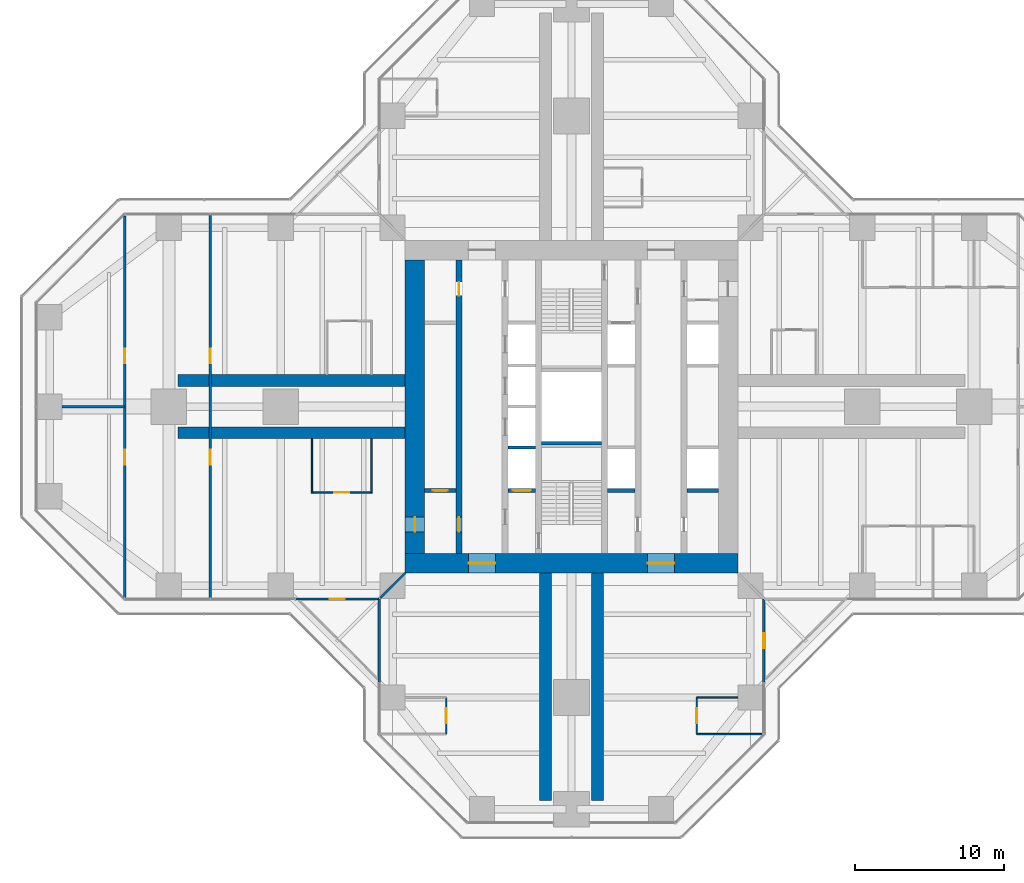
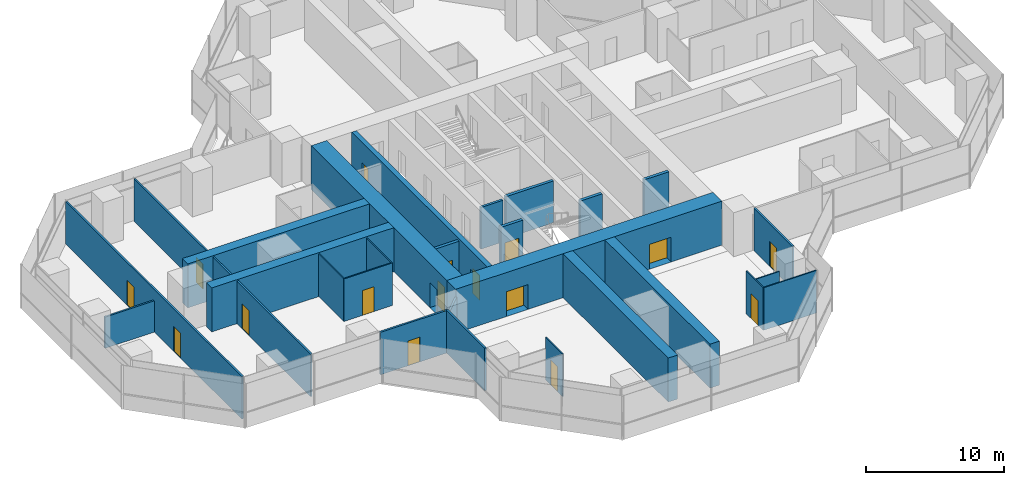
# One storey, part 15 of 20: 27 walls, 16 doors, 16 openings.
"""IFC4 building model written with IfcOpenShell, lengths in metres."""

from ifc_helpers import new_model, si_unit, direction, frame, frame_2d, origin, place, context, subcontext, project, spatial, rectangle, extrude, material, layer, layer_set, type_object, element, fill, save


model = new_model("IFC4")

# Units and contexts
model_context = context("Model", 3, precision=1e-05, world=origin(), true_north=direction((0.0, 1.0)))
body_context = subcontext(model_context, "Body", "Model", "MODEL_VIEW")
ifc_project = project(units=[si_unit("LENGTHUNIT", "METRE"), si_unit("AREAUNIT", "SQUARE_METRE"), si_unit("VOLUMEUNIT", "CUBIC_METRE"), si_unit("PLANEANGLEUNIT", "RADIAN"), si_unit("MASSUNIT", "GRAM", prefix="KILO")], contexts=[model_context])

# Site, building, storey
site_placement = place(None, origin())
site = spatial("IfcSite", under=ifc_project, at=site_placement, CompositionType="ELEMENT")
building_placement = place(site_placement, origin())
building = spatial("IfcBuilding", under=site, at=building_placement, Name="Mizan Broadcast Tower", CompositionType="ELEMENT")
storey_placement = place(building_placement, frame((0.0, 0.0, 147.60009765625)))
storey = spatial("IfcBuildingStorey", under=building, at=storey_placement, Name="L33", CompositionType="ELEMENT", Elevation=147.60009765625)

# Wall, openings, doors
ifc_material_1 = material(Name="Concrete C70/85", Category="concrete")
ifc_layer_1 = layer(ifc_material_1, 0.39990234375)
ifc_layer_set_1 = layer_set([ifc_layer_1], Name="Concrete C70/85")
wall_type_1 = type_object("IfcWallType", Name="CORE INTERNAL WALL 400", PredefinedType="SHEAR", material=ifc_layer_set_1)
wall_1_placement = place(storey_placement, frame((-7.550048828125, -9.85009765625, 0.0), z_axis=(0.0, 0.0, 1.0), x_axis=(0.0, 1.0, 0.0)))
wall_1 = element("IfcWall", 1, at=wall_1_placement, inside=storey, type_object=wall_type_1, Name="Core wall CORE/XW1", PredefinedType="SHEAR", context=body_context, shape_type="SweptSolid", body=[
    extrude(rectangle(XDim=19.7001953125, YDim=0.39990234375, at=frame_2d((9.85009765625, 0.0))), origin(), (0.0, 0.0, 1.0), 3.89990234375),
])
opening_1_placement = place(wall_1_placement, frame((1.449951171875, 0.0, 0.0)))
opening_1 = element("IfcOpeningElement", 2, at=opening_1_placement, cuts=wall_1, Name="Opening D10F", PredefinedType="OPENING", context=body_context, shape_type="SweptSolid", body=[
    extrude(rectangle(XDim=1.0, YDim=2.199951171875, at=frame_2d((0.5, 1.10009765625))), frame((0.0, 0.2099609375, 0.0), z_axis=(0.0, -1.0, 0.0), x_axis=(1.0, 0.0, 0.0)), (0.0, 0.0, 1.0), 0.419921875),
])
opening_2_placement = place(wall_1_placement, frame((17.300048828125, 0.0, 0.0)))
opening_2 = element("IfcOpeningElement", 3, at=opening_2_placement, cuts=wall_1, Name="Opening D09", PredefinedType="OPENING", context=body_context, shape_type="SweptSolid", body=[
    extrude(rectangle(XDim=0.89990234375, YDim=2.10009765625, at=frame_2d((0.449951171875, 1.050048828125))), frame((0.0, 0.2099609375, 0.0), z_axis=(0.0, -1.0, 0.0), x_axis=(1.0, 0.0, 0.0)), (0.0, 0.0, 1.0), 0.419921875),
])
ifc_material_2 = material(Name="Steel door leaf in steel frame", Category="steel")
door_type_1 = type_object("IfcDoorType", Name="FIRE DOOR 1000 FD90", OperationType="SINGLE_SWING_LEFT", PredefinedType="DOOR", material=ifc_material_2)
door_1_placement = place(opening_1_placement, origin())
door_1 = element("IfcDoor", 4, at=door_1_placement, inside=storey, type_object=door_type_1, Name="West core passage door", OperationType="SINGLE_SWING_LEFT", OverallHeight=2.199951171875, OverallWidth=1.0, PredefinedType="DOOR", context=body_context, shape_type="SweptSolid", body=[
    extrude(rectangle(XDim=1.0, YDim=2.199951171875, at=frame_2d((0.5, 1.10009765625))), frame((0.0, 0.02490234375, 0.0), z_axis=(0.0, -1.0, 0.0), x_axis=(1.0, 0.0, 0.0)), (0.0, 0.0, 1.0), 0.050048828125),
])
fill(opening_1, door_1)
ifc_material_3 = material(Name="Timber door leaf in aluminium frame", Category="wood")
door_type_2 = type_object("IfcDoorType", Name="TOILET DOOR 900", OperationType="SINGLE_SWING_LEFT", PredefinedType="DOOR", material=ifc_material_3)
door_2_placement = place(opening_2_placement, origin())
door_2 = element("IfcDoor", 5, at=door_2_placement, inside=storey, type_object=door_type_2, Name="Male WC door", OperationType="SINGLE_SWING_RIGHT", OverallHeight=2.10009765625, OverallWidth=0.89990234375, PredefinedType="DOOR", context=body_context, shape_type="SweptSolid", body=[
    extrude(rectangle(XDim=0.89990234375, YDim=2.10009765625, at=frame_2d((0.449951171875, 1.050048828125))), frame((0.0, 0.02490234375, 0.0), z_axis=(0.0, -1.0, 0.0), x_axis=(1.0, 0.0, 0.0)), (0.0, 0.0, 1.0), 0.050048828125),
])
fill(opening_2, door_2)

ifc_material_4 = material(Name="Concrete C70/85", Category="concrete")
ifc_layer_2 = layer(ifc_material_4, 1.300048828125)
ifc_layer_set_2 = layer_set([ifc_layer_2], Name="Concrete C70/85")
wall_type_2 = type_object("IfcWallType", Name="CORE WALL 1300", PredefinedType="SHEAR", material=ifc_layer_set_2)
wall_2_placement = place(storey_placement, frame((11.14990234375, -10.5, 0.0), z_axis=(0.0, 0.0, 1.0), x_axis=(-1.0, 0.0, 0.0)))
wall_2 = element("IfcWall", 6, at=wall_2_placement, inside=storey, type_object=wall_type_2, Name="Core wall S L33", PredefinedType="SHEAR", context=body_context, shape_type="SweptSolid", body=[
    extrude(rectangle(XDim=22.2998046875, YDim=1.300048828125, at=frame_2d((11.14990234375, 0.0))), origin(), (0.0, 0.0, 1.0), 3.89990234375),
])
opening_3_placement = place(wall_2_placement, frame((16.25, 0.0, 0.0)))
opening_3 = element("IfcOpeningElement", 7, at=opening_3_placement, cuts=wall_2, Name="Opening D18F", PredefinedType="OPENING", context=body_context, shape_type="SweptSolid", body=[
    extrude(rectangle(XDim=1.800048828125, YDim=2.199951171875, at=frame_2d((0.89990234375, 1.10009765625))), frame((0.0, 0.659912109375, 0.0), z_axis=(0.0, -1.0, 0.0), x_axis=(1.0, 0.0, 0.0)), (0.0, 0.0, 1.0), 1.320068359375),
])
opening_4_placement = place(wall_2_placement, frame((4.25, 0.0, 0.0)))
opening_4 = element("IfcOpeningElement", 8, at=opening_4_placement, cuts=wall_2, Name="Opening D18F", PredefinedType="OPENING", context=body_context, shape_type="SweptSolid", body=[
    extrude(rectangle(XDim=1.800048828125, YDim=2.199951171875, at=frame_2d((0.89990234375, 1.10009765625))), frame((0.0, 0.659912109375, 0.0), z_axis=(0.0, -1.0, 0.0), x_axis=(1.0, 0.0, 0.0)), (0.0, 0.0, 1.0), 1.320068359375),
])
ifc_material_5 = material(Name="Steel door leaf in steel frame", Category="steel")
door_type_3 = type_object("IfcDoorType", Name="LOBBY DOUBLE DOOR 1800 FD90", OperationType="DOUBLE_DOOR_DOUBLE_SWING", PredefinedType="DOOR", material=ifc_material_5)
door_3_placement = place(opening_3_placement, origin())
door_3 = element("IfcDoor", 9, at=door_3_placement, inside=storey, type_object=door_type_3, Name="West lift lobby south door", OperationType="DOUBLE_DOOR_DOUBLE_SWING", OverallHeight=2.199951171875, OverallWidth=1.800048828125, PredefinedType="DOOR", context=body_context, shape_type="SweptSolid", body=[
    extrude(rectangle(XDim=1.800048828125, YDim=2.199951171875, at=frame_2d((0.89990234375, 1.10009765625))), frame((0.0, 0.02490234375, 0.0), z_axis=(0.0, -1.0, 0.0), x_axis=(1.0, 0.0, 0.0)), (0.0, 0.0, 1.0), 0.050048828125),
])
fill(opening_3, door_3)
door_4_placement = place(opening_4_placement, origin())
door_4 = element("IfcDoor", 10, at=door_4_placement, inside=storey, type_object=door_type_3, Name="East lift lobby south door", OperationType="DOUBLE_DOOR_DOUBLE_SWING", OverallHeight=2.199951171875, OverallWidth=1.800048828125, PredefinedType="DOOR", context=body_context, shape_type="SweptSolid", body=[
    extrude(rectangle(XDim=1.800048828125, YDim=2.199951171875, at=frame_2d((0.89990234375, 1.10009765625))), frame((0.0, 0.02490234375, 0.0), z_axis=(0.0, -1.0, 0.0), x_axis=(1.0, 0.0, 0.0)), (0.0, 0.0, 1.0), 0.050048828125),
])
fill(opening_4, door_4)

# Wall, opening, door
wall_3_placement = place(storey_placement, frame((-10.5, 9.85009765625, 0.0), z_axis=(0.0, 0.0, 1.0), x_axis=(0.0, -1.0, 0.0)))
wall_3 = element("IfcWall", 11, at=wall_3_placement, inside=storey, type_object=wall_type_2, Name="Core wall W L33", PredefinedType="SHEAR", context=body_context, shape_type="SweptSolid", body=[
    extrude(rectangle(XDim=19.7001953125, YDim=1.300048828125, at=frame_2d((9.85009765625, 0.0))), origin(), (0.0, 0.0, 1.0), 3.89990234375),
])
opening_5_placement = place(wall_3_placement, frame((17.25, 0.0, 0.0)))
opening_5 = element("IfcOpeningElement", 12, at=opening_5_placement, cuts=wall_3, Name="Opening D10F", PredefinedType="OPENING", context=body_context, shape_type="SweptSolid", body=[
    extrude(rectangle(XDim=1.0, YDim=2.199951171875, at=frame_2d((0.5, 1.10009765625))), frame((0.0, 0.659912109375, 0.0), z_axis=(0.0, -1.0, 0.0), x_axis=(1.0, 0.0, 0.0)), (0.0, 0.0, 1.0), 1.320068359375),
])
door_5_placement = place(opening_5_placement, origin())
door_5 = element("IfcDoor", 13, at=door_5_placement, inside=storey, type_object=door_type_1, Name="West core passage arm door", OperationType="SINGLE_SWING_RIGHT", OverallHeight=2.199951171875, OverallWidth=1.0, PredefinedType="DOOR", context=body_context, shape_type="SweptSolid", body=[
    extrude(rectangle(XDim=1.0, YDim=2.199951171875, at=frame_2d((0.5, 1.10009765625))), frame((0.0, 0.02490234375, 0.0), z_axis=(0.0, -1.0, 0.0), x_axis=(1.0, 0.0, 0.0)), (0.0, 0.0, 1.0), 0.050048828125),
])
fill(opening_5, door_5)

ifc_material_6 = material(Name="Aluminium framed glazed screen", Category="aluminium")
ifc_layer_3 = layer(ifc_material_6, 0.159912109375)
ifc_layer_set_3 = layer_set([ifc_layer_3], Name="Aluminium framed glazed screen")
wall_type_3 = type_object("IfcWallType", Name="GLAZED SCREEN WALL 160", PredefinedType="SOLIDWALL", material=ifc_layer_set_3)
wall_4_placement = place(storey_placement, frame((-18.5, -12.89990234375, 0.0), z_axis=(0.0, 0.0, 1.0), x_axis=(1.0, 0.0, 0.0)))
wall_4 = element("IfcWall", 14, at=wall_4_placement, inside=storey, type_object=wall_type_3, Name="Winter garden screen L33 W", PredefinedType="SOLIDWALL", context=body_context, shape_type="SweptSolid", body=[
    extrude(rectangle(XDim=5.60009765625, YDim=0.159912109375, at=frame_2d((2.800048828125, 0.0))), origin(), (0.0, 0.0, 1.0), 3.77001953125),
])
opening_6_placement = place(wall_4_placement, frame((2.300048828125, 0.0, 0.0)))
opening_6 = element("IfcOpeningElement", 15, at=opening_6_placement, cuts=wall_4, Name="Opening WGD", PredefinedType="OPENING", context=body_context, shape_type="SweptSolid", body=[
    extrude(rectangle(XDim=1.0, YDim=2.199951171875, at=frame_2d((0.5, 1.10009765625))), frame((0.0, 0.08984375, 0.0), z_axis=(0.0, -1.0, 0.0), x_axis=(1.0, 0.0, 0.0)), (0.0, 0.0, 1.0), 0.179931640625),
])
ifc_material_7 = material(Name="Aluminium framed glazed door", Category="aluminium")
door_type_4 = type_object("IfcDoorType", Name="WINTER GARDEN DOOR 1000 GLAZED", OperationType="SINGLE_SWING_LEFT", PredefinedType="DOOR", material=ifc_material_7)
door_6_placement = place(opening_6_placement, origin())
door_6 = element("IfcDoor", 16, at=door_6_placement, inside=storey, type_object=door_type_4, Name="Winter garden door L33 W", OperationType="SINGLE_SWING_RIGHT", OverallHeight=2.199951171875, OverallWidth=1.0, PredefinedType="DOOR", context=body_context, shape_type="SweptSolid", body=[
    extrude(rectangle(XDim=1.0, YDim=2.199951171875, at=frame_2d((0.5, 1.10009765625))), frame((0.0, 0.02490234375, 0.0), z_axis=(0.0, -1.0, 0.0), x_axis=(1.0, 0.0, 0.0)), (0.0, 0.0, 1.0), 0.050048828125),
])
fill(opening_6, door_6)

# Wall
wall_5_placement = place(storey_placement, frame((-12.89990234375, -12.89990234375, 0.0), z_axis=(0.0, 0.0, 1.0), x_axis=(0.0, -1.0, 0.0)))
element("IfcWall", 17, at=wall_5_placement, inside=storey, type_object=wall_type_3, Name="Winter garden screen L33 S", PredefinedType="SOLIDWALL", context=body_context, shape_type="SweptSolid", body=[
    extrude(rectangle(XDim=5.60009765625, YDim=0.159912109375, at=frame_2d((2.800048828125, 0.0))), origin(), (0.0, 0.0, 1.0), 3.77001953125),
])

# Wall, opening, door
wall_6_placement = place(storey_placement, frame((12.89990234375, -18.5, 0.0), z_axis=(0.0, 0.0, 1.0), x_axis=(0.0, 1.0, 0.0)))
wall_6 = element("IfcWall", 18, at=wall_6_placement, inside=storey, type_object=wall_type_3, Name="Winter garden screen L33 S", PredefinedType="SOLIDWALL", context=body_context, shape_type="SweptSolid", body=[
    extrude(rectangle(XDim=5.60009765625, YDim=0.159912109375, at=frame_2d((2.800048828125, 0.0))), origin(), (0.0, 0.0, 1.0), 3.77001953125),
])
opening_7_placement = place(wall_6_placement, frame((2.300048828125, 0.0, 0.0)))
opening_7 = element("IfcOpeningElement", 19, at=opening_7_placement, cuts=wall_6, Name="Opening WGD", PredefinedType="OPENING", context=body_context, shape_type="SweptSolid", body=[
    extrude(rectangle(XDim=1.0, YDim=2.199951171875, at=frame_2d((0.5, 1.10009765625))), frame((0.0, 0.08984375, 0.0), z_axis=(0.0, -1.0, 0.0), x_axis=(1.0, 0.0, 0.0)), (0.0, 0.0, 1.0), 0.179931640625),
])
door_7_placement = place(opening_7_placement, origin())
door_7 = element("IfcDoor", 20, at=door_7_placement, inside=storey, type_object=door_type_4, Name="Winter garden door L33 S", OperationType="SINGLE_SWING_RIGHT", OverallHeight=2.199951171875, OverallWidth=1.0, PredefinedType="DOOR", context=body_context, shape_type="SweptSolid", body=[
    extrude(rectangle(XDim=1.0, YDim=2.199951171875, at=frame_2d((0.5, 1.10009765625))), frame((0.0, 0.02490234375, 0.0), z_axis=(0.0, -1.0, 0.0), x_axis=(1.0, 0.0, 0.0)), (0.0, 0.0, 1.0), 0.050048828125),
])
fill(opening_7, door_7)

# Wall
ifc_material_8 = material(Name="Concrete blockwork", Category="masonry")
ifc_layer_4 = layer(ifc_material_8, 0.199951171875)
ifc_layer_set_4 = layer_set([ifc_layer_4], Name="Concrete blockwork")
wall_type_4 = type_object("IfcWallType", Name="LIFT SHAFT WALL 200", PredefinedType="SOLIDWALL", material=ifc_layer_set_4)
wall_7_placement = place(storey_placement, frame((-4.25, -2.75, 0.0), z_axis=(0.0, 0.0, 1.0), x_axis=(1.0, 0.0, 0.0)))
element("IfcWall", 21, at=wall_7_placement, inside=storey, type_object=wall_type_4, Name="Lift shaft wall CORE/SW2-1", PredefinedType="SOLIDWALL", context=body_context, shape_type="SweptSolid", body=[
    extrude(rectangle(XDim=1.85009765625, YDim=0.199951171875, at=frame_2d((0.925048828125, 0.0))), origin(), (0.0, 0.0, 1.0), 3.699951171875),
])

# Wall, opening, door
ifc_material_9 = material(Name="Concrete blockwork", Category="masonry")
ifc_layer_5 = layer(ifc_material_9, 0.25)
ifc_layer_set_5 = layer_set([ifc_layer_5], Name="Concrete blockwork")
wall_type_5 = type_object("IfcWallType", Name="LOBBY ENCLOSURE WALL 250", PredefinedType="SOLIDWALL", material=ifc_layer_set_5)
wall_8_placement = place(storey_placement, frame((-9.85009765625, -5.625, 0.0), z_axis=(0.0, 0.0, 1.0), x_axis=(1.0, 0.0, 0.0)))
wall_8 = element("IfcWall", 22, at=wall_8_placement, inside=storey, type_object=wall_type_5, Name="Lobby enclosure wall CORE/BW1S", PredefinedType="SOLIDWALL", context=body_context, shape_type="SweptSolid", body=[
    extrude(rectangle(XDim=2.10009765625, YDim=0.25, at=frame_2d((1.050048828125, 0.0))), origin(), (0.0, 0.0, 1.0), 3.699951171875),
])
opening_8_placement = place(wall_8_placement, frame((0.550048828125, 0.0, 0.0)))
opening_8 = element("IfcOpeningElement", 23, at=opening_8_placement, cuts=wall_8, Name="Opening D10F", PredefinedType="OPENING", context=body_context, shape_type="SweptSolid", body=[
    extrude(rectangle(XDim=1.0, YDim=2.199951171875, at=frame_2d((0.5, 1.10009765625))), frame((0.0, 0.135009765625, 0.0), z_axis=(0.0, -1.0, 0.0), x_axis=(1.0, 0.0, 0.0)), (0.0, 0.0, 1.0), 0.27001953125),
])
door_8_placement = place(opening_8_placement, origin())
door_8 = element("IfcDoor", 24, at=door_8_placement, inside=storey, type_object=door_type_1, Name="Staff locker room door", OperationType="SINGLE_SWING_RIGHT", OverallHeight=2.199951171875, OverallWidth=1.0, PredefinedType="DOOR", context=body_context, shape_type="SweptSolid", body=[
    extrude(rectangle(XDim=1.0, YDim=2.199951171875, at=frame_2d((0.5, 1.10009765625))), frame((0.0, 0.02490234375, 0.0), z_axis=(0.0, -1.0, 0.0), x_axis=(1.0, 0.0, 0.0)), (0.0, 0.0, 1.0), 0.050048828125),
])
fill(opening_8, door_8)

wall_9_placement = place(storey_placement, frame((-4.25, -5.625, 0.0), z_axis=(0.0, 0.0, 1.0), x_axis=(1.0, 0.0, 0.0)))
wall_9 = element("IfcWall", 25, at=wall_9_placement, inside=storey, type_object=wall_type_5, Name="Lobby enclosure wall CORE/BW2S", PredefinedType="SOLIDWALL", context=body_context, shape_type="SweptSolid", body=[
    extrude(rectangle(XDim=1.85009765625, YDim=0.25, at=frame_2d((0.925048828125, 0.0))), origin(), (0.0, 0.0, 1.0), 3.699951171875),
])
opening_9_placement = place(wall_9_placement, frame((0.324951171875, 0.0, 0.0)))
opening_9 = element("IfcOpeningElement", 26, at=opening_9_placement, cuts=wall_9, Name="Opening LDF", PredefinedType="OPENING", context=body_context, shape_type="SweptSolid", body=[
    extrude(rectangle(XDim=1.199951171875, YDim=2.199951171875, at=frame_2d((0.60009765625, 1.10009765625))), frame((0.0, 0.135009765625, 0.0), z_axis=(0.0, -1.0, 0.0), x_axis=(1.0, 0.0, 0.0)), (0.0, 0.0, 1.0), 0.27001953125),
])
ifc_material_10 = material(Name="Steel door leaf in steel frame", Category="steel")
door_type_5 = type_object("IfcDoorType", Name="FIREFIGHTING LIFT LANDING DOOR 1200", OperationType="SLIDING_TO_LEFT", PredefinedType="DOOR", material=ifc_material_10)
door_9_placement = place(opening_9_placement, origin())
door_9 = element("IfcDoor", 27, at=door_9_placement, inside=storey, type_object=door_type_5, Name="Landing door FF1", OperationType="SLIDING_TO_LEFT", OverallHeight=2.199951171875, OverallWidth=1.199951171875, PredefinedType="DOOR", context=body_context, shape_type="SweptSolid", body=[
    extrude(rectangle(XDim=1.199951171875, YDim=2.199951171875, at=frame_2d((0.60009765625, 1.10009765625))), frame((0.0, 0.02490234375, 0.0), z_axis=(0.0, -1.0, 0.0), x_axis=(1.0, 0.0, 0.0)), (0.0, 0.0, 1.0), 0.050048828125),
])
fill(opening_9, door_9)

# Walls
wall_10_placement = place(storey_placement, frame((2.39990234375, -5.625, 0.0), z_axis=(0.0, 0.0, 1.0), x_axis=(1.0, 0.0, 0.0)))
element("IfcWall", 28, at=wall_10_placement, inside=storey, type_object=wall_type_5, Name="Lobby enclosure wall CORE/BE2S", PredefinedType="SOLIDWALL", context=body_context, shape_type="SweptSolid", body=[
    extrude(rectangle(XDim=1.85009765625, YDim=0.25, at=frame_2d((0.925048828125, 0.0))), origin(), (0.0, 0.0, 1.0), 3.699951171875),
])
wall_11_placement = place(storey_placement, frame((7.75, -5.625, 0.0), z_axis=(0.0, 0.0, 1.0), x_axis=(1.0, 0.0, 0.0)))
element("IfcWall", 29, at=wall_11_placement, inside=storey, type_object=wall_type_5, Name="Lobby enclosure wall CORE/BE1S", PredefinedType="SOLIDWALL", context=body_context, shape_type="SweptSolid", body=[
    extrude(rectangle(XDim=2.10009765625, YDim=0.25, at=frame_2d((1.050048828125, 0.0))), origin(), (0.0, 0.0, 1.0), 3.699951171875),
])
wall_12_placement = place(storey_placement, frame((-2.0, -2.449951171875, 0.0), z_axis=(0.0, 0.0, 1.0), x_axis=(1.0, 0.0, 0.0)))
element("IfcWall", 30, at=wall_12_placement, inside=storey, type_object=wall_type_5, Name="Lobby enclosure wall CORE/STA", PredefinedType="SOLIDWALL", context=body_context, shape_type="SweptSolid", body=[
    extrude(rectangle(XDim=4.0, YDim=0.25, at=frame_2d((2.0, 0.0))), origin(), (0.0, 0.0, 1.0), 3.699951171875),
])

# Wall, openings, doors
ifc_material_11 = material(Name="Gypsum board on steel studs", Category="steel")
ifc_layer_6 = layer(ifc_material_11, 0.14990234375)
ifc_layer_set_6 = layer_set([ifc_layer_6], Name="Gypsum board on steel studs")
wall_type_6 = type_object("IfcWallType", Name="PARTITION 150", PredefinedType="PARTITIONING", material=ifc_layer_set_6)
wall_13_placement = place(storey_placement, frame((-24.22900390625, 12.820068359375, 0.0), z_axis=(0.0, 0.0, 1.0), x_axis=(0.0, -1.0, 0.0)))
wall_13 = element("IfcWall", 31, at=wall_13_placement, inside=storey, type_object=wall_type_6, Name="Partition PT/WX1", PredefinedType="PARTITIONING", context=body_context, shape_type="SweptSolid", body=[
    extrude(rectangle(XDim=25.64013671875, YDim=0.14990234375, at=frame_2d((12.820068359375, 0.0))), origin(), (0.0, 0.0, 1.0), 3.77001953125),
])
opening_10_placement = place(wall_13_placement, frame((15.719970703125, 0.0, 0.0)))
opening_10 = element("IfcOpeningElement", 32, at=opening_10_placement, cuts=wall_13, Name="Opening D10", PredefinedType="OPENING", context=body_context, shape_type="SweptSolid", body=[
    extrude(rectangle(XDim=1.0, YDim=2.199951171875, at=frame_2d((0.5, 1.10009765625))), frame((0.0, 0.0849609375, 0.0), z_axis=(0.0, -1.0, 0.0), x_axis=(1.0, 0.0, 0.0)), (0.0, 0.0, 1.0), 0.169921875),
])
opening_11_placement = place(wall_13_placement, frame((8.919921875, 0.0, 0.0)))
opening_11 = element("IfcOpeningElement", 33, at=opening_11_placement, cuts=wall_13, Name="Opening D10", PredefinedType="OPENING", context=body_context, shape_type="SweptSolid", body=[
    extrude(rectangle(XDim=1.0, YDim=2.199951171875, at=frame_2d((0.5, 1.10009765625))), frame((0.0, 0.0849609375, 0.0), z_axis=(0.0, -1.0, 0.0), x_axis=(1.0, 0.0, 0.0)), (0.0, 0.0, 1.0), 0.169921875),
])
ifc_material_12 = material(Name="Timber door leaf in aluminium frame", Category="wood")
door_type_6 = type_object("IfcDoorType", Name="ROOM DOOR 1000", OperationType="SINGLE_SWING_LEFT", PredefinedType="DOOR", material=ifc_material_12)
door_10_placement = place(opening_10_placement, origin())
door_10 = element("IfcDoor", 34, at=door_10_placement, inside=storey, type_object=door_type_6, Name="Open office door", OperationType="SINGLE_SWING_RIGHT", OverallHeight=2.199951171875, OverallWidth=1.0, PredefinedType="DOOR", context=body_context, shape_type="SweptSolid", body=[
    extrude(rectangle(XDim=1.0, YDim=2.199951171875, at=frame_2d((0.5, 1.10009765625))), frame((0.0, 0.02490234375, 0.0), z_axis=(0.0, -1.0, 0.0), x_axis=(1.0, 0.0, 0.0)), (0.0, 0.0, 1.0), 0.050048828125),
])
fill(opening_10, door_10)
door_11_placement = place(opening_11_placement, origin())
door_11 = element("IfcDoor", 35, at=door_11_placement, inside=storey, type_object=door_type_6, Name="Open office door", OperationType="SINGLE_SWING_LEFT", OverallHeight=2.199951171875, OverallWidth=1.0, PredefinedType="DOOR", context=body_context, shape_type="SweptSolid", body=[
    extrude(rectangle(XDim=1.0, YDim=2.199951171875, at=frame_2d((0.5, 1.10009765625))), frame((0.0, 0.02490234375, 0.0), z_axis=(0.0, -1.0, 0.0), x_axis=(1.0, 0.0, 0.0)), (0.0, 0.0, 1.0), 0.050048828125),
])
fill(opening_11, door_11)

wall_14_placement = place(storey_placement, frame((-29.958984375, 12.786376953125, 0.0), z_axis=(0.0, 0.0, 1.0), x_axis=(0.0, -1.0, 0.0)))
wall_14 = element("IfcWall", 36, at=wall_14_placement, inside=storey, type_object=wall_type_6, Name="Partition PT/WX2", PredefinedType="PARTITIONING", context=body_context, shape_type="SweptSolid", body=[
    extrude(rectangle(XDim=25.57275390625, YDim=0.14990234375, at=frame_2d((12.786376953125, 0.0))), origin(), (0.0, 0.0, 1.0), 3.77001953125),
])
opening_12_placement = place(wall_14_placement, frame((15.6865234375, 0.0, 0.0)))
opening_12 = element("IfcOpeningElement", 37, at=opening_12_placement, cuts=wall_14, Name="Opening D10", PredefinedType="OPENING", context=body_context, shape_type="SweptSolid", body=[
    extrude(rectangle(XDim=1.0, YDim=2.199951171875, at=frame_2d((0.5, 1.10009765625))), frame((0.0, 0.0849609375, 0.0), z_axis=(0.0, -1.0, 0.0), x_axis=(1.0, 0.0, 0.0)), (0.0, 0.0, 1.0), 0.169921875),
])
opening_13_placement = place(wall_14_placement, frame((8.886474609375, 0.0, 0.0)))
opening_13 = element("IfcOpeningElement", 38, at=opening_13_placement, cuts=wall_14, Name="Opening D10", PredefinedType="OPENING", context=body_context, shape_type="SweptSolid", body=[
    extrude(rectangle(XDim=1.0, YDim=2.199951171875, at=frame_2d((0.5, 1.10009765625))), frame((0.0, 0.0849609375, 0.0), z_axis=(0.0, -1.0, 0.0), x_axis=(1.0, 0.0, 0.0)), (0.0, 0.0, 1.0), 0.169921875),
])
door_12_placement = place(opening_12_placement, origin())
door_12 = element("IfcDoor", 39, at=door_12_placement, inside=storey, type_object=door_type_6, Name="Open office door", OperationType="SINGLE_SWING_RIGHT", OverallHeight=2.199951171875, OverallWidth=1.0, PredefinedType="DOOR", context=body_context, shape_type="SweptSolid", body=[
    extrude(rectangle(XDim=1.0, YDim=2.199951171875, at=frame_2d((0.5, 1.10009765625))), frame((0.0, 0.02490234375, 0.0), z_axis=(0.0, -1.0, 0.0), x_axis=(1.0, 0.0, 0.0)), (0.0, 0.0, 1.0), 0.050048828125),
])
fill(opening_12, door_12)
door_13_placement = place(opening_13_placement, origin())
door_13 = element("IfcDoor", 40, at=door_13_placement, inside=storey, type_object=door_type_6, Name="Open office door", OperationType="SINGLE_SWING_LEFT", OverallHeight=2.199951171875, OverallWidth=1.0, PredefinedType="DOOR", context=body_context, shape_type="SweptSolid", body=[
    extrude(rectangle(XDim=1.0, YDim=2.199951171875, at=frame_2d((0.5, 1.10009765625))), frame((0.0, 0.02490234375, 0.0), z_axis=(0.0, -1.0, 0.0), x_axis=(1.0, 0.0, 0.0)), (0.0, 0.0, 1.0), 0.050048828125),
])
fill(opening_13, door_13)

# Walls
wall_15_placement = place(storey_placement, frame((-29.958984375, 0.0, 0.0), z_axis=(0.0, 0.0, 1.0), x_axis=(-1.0, 0.0, 0.0)))
element("IfcWall", 41, at=wall_15_placement, inside=storey, type_object=wall_type_6, Name="Partition PT/WES", PredefinedType="PARTITIONING", context=body_context, shape_type="SweptSolid", body=[
    extrude(rectangle(XDim=4.19091796875, YDim=0.14990234375, at=frame_2d((2.095458984375, 0.0))), origin(), (0.0, 0.0, 1.0), 2.77001953125),
])
wall_16_placement = place(storey_placement, frame((-11.14990234375, -11.14990234375, 0.0), z_axis=(0.0, 0.0, 1.0), x_axis=(-0.707106781187, -0.707106781187, 0.0)))
element("IfcWall", 42, at=wall_16_placement, inside=storey, type_object=wall_type_6, Name="Partition PT/DGWS", PredefinedType="PARTITIONING", context=body_context, shape_type="SweptSolid", body=[
    extrude(rectangle(XDim=2.362060546875, YDim=0.14990234375, at=frame_2d((1.18115234375, 0.0))), origin(), (0.0, 0.0, 1.0), 3.219970703125),
])
ifc_material_13 = material(Name="Glazed aluminium partition on aluminium track", Category="aluminium")
ifc_layer_7 = layer(ifc_material_13, 0.10009765625)
ifc_layer_set_7 = layer_set([ifc_layer_7], Name="Glazed aluminium partition on aluminium track")
wall_type_7 = type_object("IfcWallType", Name="PARTITION GLAZED OFFICE FRONT 100", PredefinedType="PARTITIONING", material=ifc_layer_set_7)
for number, where, z_axis, x_axis, name in (
    (43, (-13.39990234375, -2.14990234375, 0.0), (0.0, 0.0, 1.0), (0.0, -1.0, 0.0), "Glazed office front PT/WKP0a"),
    (44, (-17.39990234375, -2.14990234375, 0.0), (0.0, 0.0, 1.0), (0.0, -1.0, 0.0), "Glazed office front PT/WKP0b"),
):
    element("IfcWall", number, at=place(storey_placement, frame(where, z_axis=z_axis, x_axis=x_axis)), inside=storey, type_object=wall_type_7, Name=name, PredefinedType="PARTITIONING", context=body_context, shape_type="SweptSolid", body=[
        extrude(rectangle(XDim=3.60009765625, YDim=0.10009765625, at=frame_2d((1.800048828125, 0.0))), origin(), (0.0, 0.0, 1.0), 3.77001953125),
    ])

# Wall, opening, door
wall_17_placement = place(storey_placement, frame((-13.35009765625, -5.75, 0.0), z_axis=(0.0, 0.0, 1.0), x_axis=(-1.0, 0.0, 0.0)))
wall_17 = element("IfcWall", 45, at=wall_17_placement, inside=storey, type_object=wall_type_7, Name="Glazed office front PT/WKP0f", PredefinedType="PARTITIONING", context=body_context, shape_type="SweptSolid", body=[
    extrude(rectangle(XDim=4.099853515625, YDim=0.10009765625, at=frame_2d((2.0498046875, 0.0))), origin(), (0.0, 0.0, 1.0), 3.77001953125),
])
opening_14_placement = place(wall_17_placement, frame((1.550048828125, 0.0, 0.0)))
opening_14 = element("IfcOpeningElement", 46, at=opening_14_placement, cuts=wall_17, Name="Opening D10O", PredefinedType="OPENING", context=body_context, shape_type="SweptSolid", body=[
    extrude(rectangle(XDim=1.0, YDim=2.199951171875, at=frame_2d((0.5, 1.10009765625))), frame((0.0, 0.06005859375, 0.0), z_axis=(0.0, -1.0, 0.0), x_axis=(1.0, 0.0, 0.0)), (0.0, 0.0, 1.0), 0.1201171875),
])
ifc_material_14 = material(Name="Timber door leaf in aluminium frame", Category="wood")
door_type_7 = type_object("IfcDoorType", Name="OFFICE DOOR 1000 GLAZED", OperationType="SINGLE_SWING_LEFT", PredefinedType="DOOR", material=ifc_material_14)
door_14_placement = place(opening_14_placement, origin())
door_14 = element("IfcDoor", 47, at=door_14_placement, inside=storey, type_object=door_type_7, Name="Comms room door", OperationType="SINGLE_SWING_LEFT", OverallHeight=2.199951171875, OverallWidth=1.0, PredefinedType="DOOR", context=body_context, shape_type="SweptSolid", body=[
    extrude(rectangle(XDim=1.0, YDim=2.199951171875, at=frame_2d((0.5, 1.10009765625))), frame((0.0, 0.02490234375, 0.0), z_axis=(0.0, -1.0, 0.0), x_axis=(1.0, 0.0, 0.0)), (0.0, 0.0, 1.0), 0.050048828125),
])
fill(opening_14, door_14)

wall_18_placement = place(storey_placement, frame((8.39990234375, -19.5, 0.0), z_axis=(0.0, 0.0, 1.0), x_axis=(0.0, -1.0, 0.0)))
wall_18 = element("IfcWall", 48, at=wall_18_placement, inside=storey, type_object=wall_type_7, Name="Glazed office front PT/SCP0", PredefinedType="PARTITIONING", context=body_context, shape_type="SweptSolid", body=[
    extrude(rectangle(XDim=2.458984375, YDim=0.10009765625, at=frame_2d((1.2294921875, 0.0))), origin(), (0.0, 0.0, 1.0), 3.77001953125),
])
opening_15_placement = place(wall_18_placement, frame((0.7294921875, 0.0, 0.0)))
opening_15 = element("IfcOpeningElement", 49, at=opening_15_placement, cuts=wall_18, Name="Opening D10O", PredefinedType="OPENING", context=body_context, shape_type="SweptSolid", body=[
    extrude(rectangle(XDim=1.0, YDim=2.199951171875, at=frame_2d((0.5, 1.10009765625))), frame((0.0, 0.06005859375, 0.0), z_axis=(0.0, -1.0, 0.0), x_axis=(1.0, 0.0, 0.0)), (0.0, 0.0, 1.0), 0.1201171875),
])
door_15_placement = place(opening_15_placement, origin())
door_15 = element("IfcDoor", 50, at=door_15_placement, inside=storey, type_object=door_type_7, Name="Office door", OperationType="SINGLE_SWING_LEFT", OverallHeight=2.199951171875, OverallWidth=1.0, PredefinedType="DOOR", context=body_context, shape_type="SweptSolid", body=[
    extrude(rectangle(XDim=1.0, YDim=2.199951171875, at=frame_2d((0.5, 1.10009765625))), frame((0.0, 0.02490234375, 0.0), z_axis=(0.0, -1.0, 0.0), x_axis=(1.0, 0.0, 0.0)), (0.0, 0.0, 1.0), 0.050048828125),
])
fill(opening_15, door_15)

# Walls
wall_19_placement = place(storey_placement, frame((8.39990234375, -19.5, 0.0), z_axis=(0.0, 0.0, 1.0), x_axis=(1.0, 0.0, 0.0)))
element("IfcWall", 51, at=wall_19_placement, inside=storey, type_object=wall_type_7, Name="Glazed office front PT/SQP1950", PredefinedType="PARTITIONING", context=body_context, shape_type="SweptSolid", body=[
    extrude(rectangle(XDim=2.75, YDim=0.10009765625, at=frame_2d((1.375, 0.0))), origin(), (0.0, 0.0, 1.0), 2.77001953125),
])
wall_20_placement = place(storey_placement, frame((8.39990234375, -21.958984375, 0.0), z_axis=(0.0, 0.0, 1.0), x_axis=(1.0, 0.0, 0.0)))
element("IfcWall", 52, at=wall_20_placement, inside=storey, type_object=wall_type_7, Name="Glazed office front PT/SQP2196", PredefinedType="PARTITIONING", context=body_context, shape_type="SweptSolid", body=[
    extrude(rectangle(XDim=4.420166015625, YDim=0.10009765625, at=frame_2d((2.2099609375, 0.0))), origin(), (0.0, 0.0, 1.0), 3.77001953125),
])

# Wall, opening, door
wall_21_placement = place(storey_placement, frame((-8.39990234375, -19.5, 0.0), z_axis=(0.0, 0.0, 1.0), x_axis=(0.0, -1.0, 0.0)))
wall_21 = element("IfcWall", 53, at=wall_21_placement, inside=storey, type_object=wall_type_7, Name="Glazed office front PT/SCN0", PredefinedType="PARTITIONING", context=body_context, shape_type="SweptSolid", body=[
    extrude(rectangle(XDim=2.458984375, YDim=0.10009765625, at=frame_2d((1.2294921875, 0.0))), origin(), (0.0, 0.0, 1.0), 3.77001953125),
])
opening_16_placement = place(wall_21_placement, frame((0.7294921875, 0.0, 0.0)))
opening_16 = element("IfcOpeningElement", 54, at=opening_16_placement, cuts=wall_21, Name="Opening D10O", PredefinedType="OPENING", context=body_context, shape_type="SweptSolid", body=[
    extrude(rectangle(XDim=1.0, YDim=2.199951171875, at=frame_2d((0.5, 1.10009765625))), frame((0.0, 0.06005859375, 0.0), z_axis=(0.0, -1.0, 0.0), x_axis=(1.0, 0.0, 0.0)), (0.0, 0.0, 1.0), 0.1201171875),
])
door_16_placement = place(opening_16_placement, origin())
door_16 = element("IfcDoor", 55, at=door_16_placement, inside=storey, type_object=door_type_7, Name="Test room door", OperationType="SINGLE_SWING_LEFT", OverallHeight=2.199951171875, OverallWidth=1.0, PredefinedType="DOOR", context=body_context, shape_type="SweptSolid", body=[
    extrude(rectangle(XDim=1.0, YDim=2.199951171875, at=frame_2d((0.5, 1.10009765625))), frame((0.0, 0.02490234375, 0.0), z_axis=(0.0, -1.0, 0.0), x_axis=(1.0, 0.0, 0.0)), (0.0, 0.0, 1.0), 0.050048828125),
])
fill(opening_16, door_16)

# Walls
ifc_material_15 = material(Name="Concrete C70/85", Category="concrete")
ifc_layer_8 = layer(ifc_material_15, 0.800048828125)
ifc_layer_set_8 = layer_set([ifc_layer_8], Name="Concrete C70/85")
wall_type_8 = type_object("IfcWallType", Name="SPINE WALL 800", PredefinedType="SHEAR", material=ifc_layer_set_8)
for number, where, z_axis, x_axis, name in (
    (56, (-11.14990234375, 1.75, 0.0), (0.0, 0.0, 1.0), (-1.0, 0.0, 0.0), "Spine wall WR L33"),
    (57, (-11.14990234375, -1.75, 0.0), (0.0, 0.0, 1.0), (-1.0, 0.0, 0.0), "Spine wall WL L33"),
    (58, (-1.75, -11.14990234375, 0.0), (0.0, 0.0, 1.0), (0.0, -1.0, 0.0), "Spine wall SR L33"),
    (59, (1.75, -11.14990234375, 0.0), (0.0, 0.0, 1.0), (0.0, -1.0, 0.0), "Spine wall SL L33"),
):
    element("IfcWall", number, at=place(storey_placement, frame(where, z_axis=z_axis, x_axis=x_axis)), inside=storey, type_object=wall_type_8, Name=name, PredefinedType="SHEAR", context=body_context, shape_type="SweptSolid", body=[
        extrude(rectangle(XDim=15.25, YDim=0.800048828125, at=frame_2d((7.625, 0.0))), origin(), (0.0, 0.0, 1.0), 3.89990234375),
    ])

save(model, "model.ifc")
